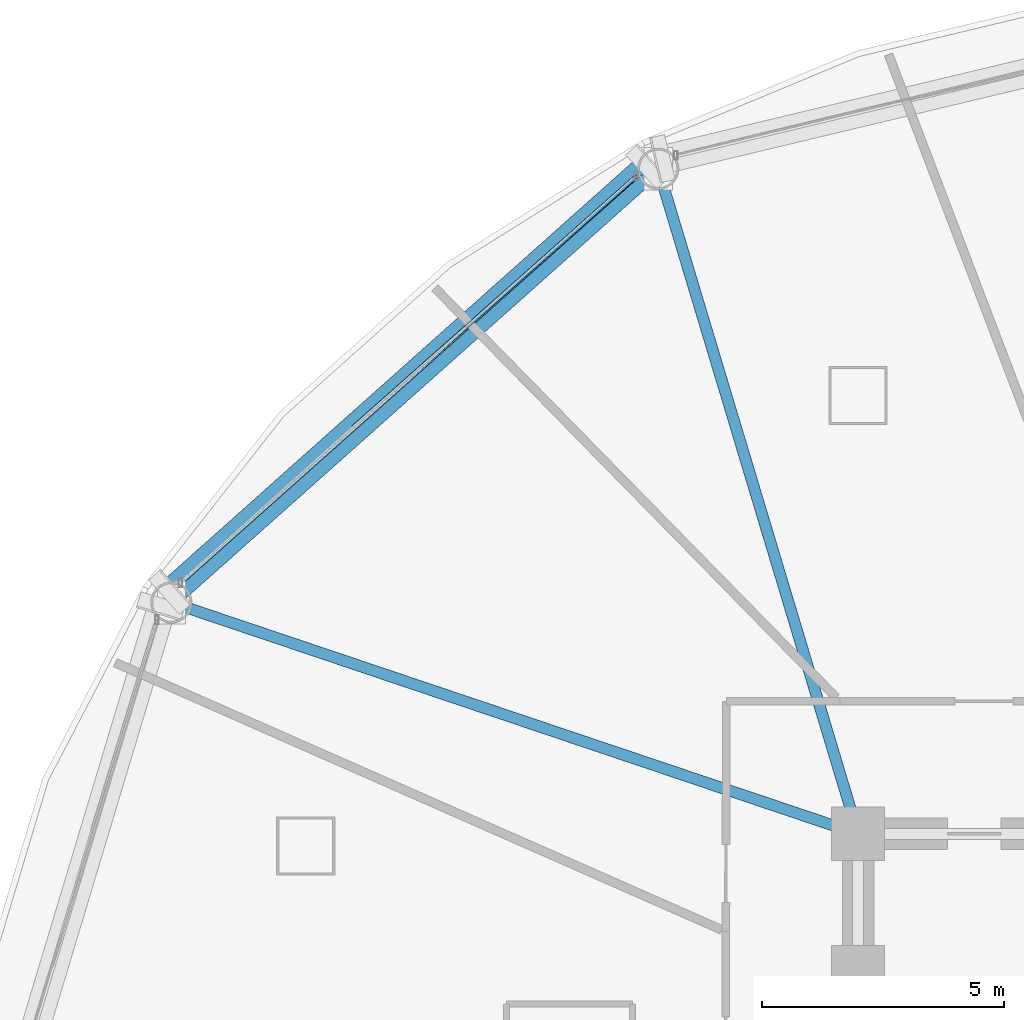
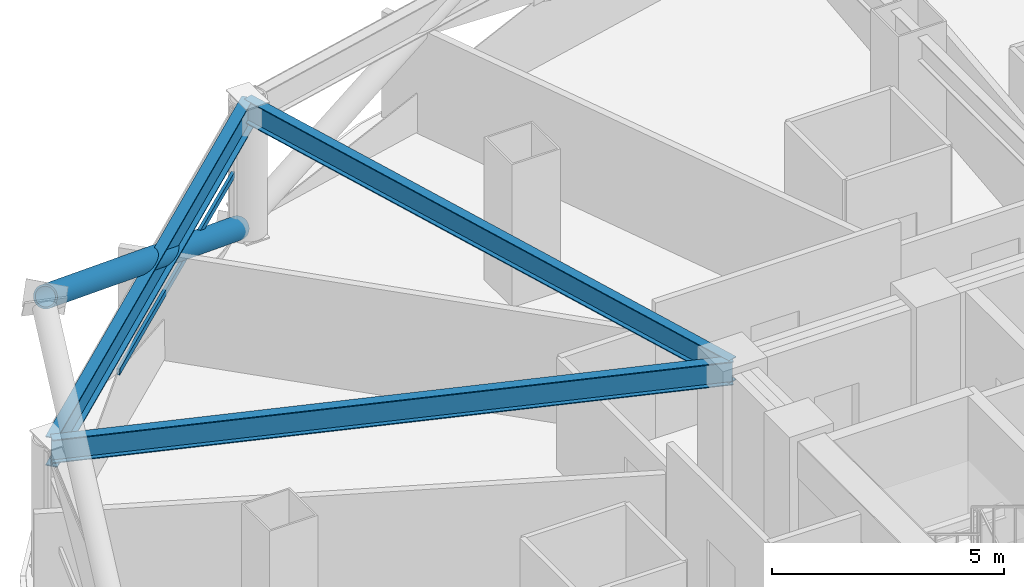
# One storey, part 14 of 30: 3 beams, 2 members, 1 element without a shape of its own.
"""IFC4 building model written with IfcOpenShell, lengths in metres."""

from ifc_helpers import new_model, si_unit, direction, frame, origin, origin_2d, place, context, subcontext, project, spatial, hollow_rectangle, hollow_circle, i_section, extrude, material, layer, layer_set, material_profile, profile_set, type_object, element, aggregate, save


model = new_model("IFC4")

# Units and contexts
model_context = context("Model", 3, precision=1e-05, world=origin(), true_north=direction((0.0, 1.0)))
body_context = subcontext(model_context, "Body", "Model", "MODEL_VIEW")
ifc_project = project(units=[si_unit("LENGTHUNIT", "METRE"), si_unit("AREAUNIT", "SQUARE_METRE"), si_unit("VOLUMEUNIT", "CUBIC_METRE"), si_unit("PLANEANGLEUNIT", "RADIAN"), si_unit("MASSUNIT", "GRAM", prefix="KILO")], contexts=[model_context])

# Site, building, storey
site_placement = place(None, origin())
site = spatial("IfcSite", under=ifc_project, at=site_placement, CompositionType="ELEMENT")
building_placement = place(site_placement, origin())
building = spatial("IfcBuilding", under=site, at=building_placement, Name="Vantalir Tower", CompositionType="ELEMENT")
storey_placement = place(building_placement, frame((0.0, 0.0, 57.0)))
storey = spatial("IfcBuildingStorey", under=building, at=storey_placement, Name="L13", CompositionType="ELEMENT", Elevation=57.0)

# Beams
ifc_material_1 = material(Name="Steel S355", Category="steel")
ifc_material_profile_1 = material_profile(ifc_material_1, i_section(OverallWidth=0.22998046875, OverallDepth=0.616943359375, WebThickness=0.01318359375, FlangeThickness=0.022216796875, at=origin_2d()), Name="Steel S355")
ifc_profile_set_1 = profile_set([ifc_material_profile_1], Name="Steel S355")
beam_type_1 = type_object("IfcBeamType", Name="BM-RB-610x229", PredefinedType="BEAM", material=ifc_profile_set_1)
beam_1_placement = place(storey_placement, frame((17.77490234375, 46.175048828125, 3.261962890625), z_axis=(0.287826084552, -0.957682695391, 0.0), x_axis=(0.957682695391, 0.287826084552, 0.0)))
element("IfcBeam", 1, at=beam_1_placement, inside=storey, type_object=beam_type_1, Name="L13 Radial Floor Beam 05", PredefinedType="BEAM", context=body_context, shape_type="SweptSolid", body=[
    extrude(i_section(OverallWidth=0.22998046875, OverallDepth=0.616943359375, WebThickness=0.01318359375, FlangeThickness=0.022216796875, at=origin_2d()), origin(), (0.0, 0.0, 1.0), 14.33154296875),
])
beam_2_placement = place(storey_placement, frame((7.72705078125, 37.22509765625, 3.261962890625), z_axis=(0.947658091823, -0.319286925825, 0.0), x_axis=(0.319286925825, 0.947658091823, 0.0)))
element("IfcBeam", 2, at=beam_2_placement, inside=storey, type_object=beam_type_1, Name="L13 Radial Floor Beam 06", PredefinedType="BEAM", context=body_context, shape_type="SweptSolid", body=[
    extrude(i_section(OverallWidth=0.22998046875, OverallDepth=0.616943359375, WebThickness=0.01318359375, FlangeThickness=0.022216796875, at=origin_2d()), origin(), (0.0, 0.0, 1.0), 14.95556640625),
])
ifc_material_2 = material(Name="Steel S460", Category="steel")
ifc_material_profile_2 = material_profile(ifc_material_2, i_section(OverallWidth=0.26806640625, OverallDepth=0.77001953125, WebThickness=0.015625, FlangeThickness=0.025390625, at=origin_2d()), Name="Steel S460")
ifc_profile_set_2 = profile_set([ifc_material_profile_2], Name="Steel S460")
beam_type_2 = type_object("IfcBeamType", Name="BM-RG-762x267", PredefinedType="USERDEFINED", material=ifc_profile_set_2)
beam_3_placement = place(storey_placement, frame((17.77490234375, 46.175048828125, 3.18505859375), z_axis=(-0.746725215396, -0.665132657965, 0.0), x_axis=(0.665132657965, -0.746725215396, 0.0)))
element("IfcBeam", 3, at=beam_3_placement, inside=storey, type_object=beam_type_2, Name="L13 Circumferential Ring Girder 05", ObjectType="GIRDER", PredefinedType="USERDEFINED", context=body_context, shape_type="SweptSolid", body=[
    extrude(i_section(OverallWidth=0.26806640625, OverallDepth=0.77001953125, WebThickness=0.015625, FlangeThickness=0.025390625, at=origin_2d()), origin(), (0.0, 0.0, 1.0), 13.455810546875),
])

# Curtain wall, member
ifc_material_3 = material(Name="Champagne-silver PVDF aluminium and double-silver Low-E glass", Category="aluminium")
ifc_layer = layer(ifc_material_3, 0.18994140625)
ifc_layer_set = layer_set([ifc_layer], Name="Champagne-silver PVDF aluminium and double-silver Low-E glass")
curtain_wall_type = type_object("IfcCurtainWallType", Name="CW-DIAMOND-Z1", PredefinedType="USERDEFINED", material=ifc_layer_set)
curtain_wall_placement = place(storey_placement, origin())
curtain_wall = element("IfcCurtainWall", 4, at=curtain_wall_placement, inside=storey, type_object=curtain_wall_type, Name="L13 Quilted Pyramid-Diamond Curtain Wall S05", ObjectType="UNITISED CURTAIN WALL", PredefinedType="USERDEFINED")
ifc_material_4 = material(Name="Champagne-silver PVDF aluminium 6063-T6", Category="aluminium")
ifc_material_profile_3 = material_profile(ifc_material_4, hollow_rectangle(XDim=0.074951171875, YDim=0.159912109375, WallThickness=0.00390625, at=origin_2d()), Name="Champagne-silver PVDF aluminium 6063-T6")
ifc_profile_set_3 = profile_set([ifc_material_profile_3], Name="Champagne-silver PVDF aluminium 6063-T6")
member_type_1 = type_object("IfcMemberType", Name="CWT-160x75", PredefinedType="USERDEFINED", material=ifc_profile_set_3)
member_1_placement = place(storey_placement, frame((17.3291015625, 46.027099609375, 1.784912109375), z_axis=(-0.748497915602, -0.663137142934, 0.0), x_axis=(0.663137142934, -0.748497915602, 0.0)))
member_1 = element("IfcMember", 5, at=member_1_placement, type_object=member_type_1, Name="CW-L13-S05 Pyramid Fold Ridge Transom", ObjectType="TRANSOM", PredefinedType="USERDEFINED", context=body_context, shape_type="SweptSolid", body=[
    extrude(hollow_rectangle(XDim=0.074951171875, YDim=0.159912109375, WallThickness=0.00390625, at=origin_2d()), origin(), (0.0, 0.0, 1.0), 7.8251953125),
])
aggregate(curtain_wall, [member_1])

# Member
ifc_material_profile_4 = material_profile(ifc_material_2, hollow_circle(Radius=0.27001953125, WallThickness=0.044921875, at=origin_2d()), Name="Steel S460")
ifc_profile_set_4 = profile_set([ifc_material_profile_4], Name="Steel S460")
member_type_2 = type_object("IfcMemberType", Name="MEM-DB-540x45", PredefinedType="BRACE", material=ifc_profile_set_4)
member_2_placement = place(storey_placement, frame((17.534912109375, 46.2109375, 0.18310546875), z_axis=(-0.660027428406, -0.588441793021, 0.467011830662), x_axis=(0.66546913516, -0.746425368104, 0.0)))
element("IfcMember", 6, at=member_2_placement, inside=storey, type_object=member_type_2, Name="L13 Perimeter S460 Diagrid Brace R13L", PredefinedType="BRACE", context=body_context, shape_type="SweptSolid", body=[
    extrude(hollow_circle(Radius=0.27001953125, WallThickness=0.044921875, at=origin_2d()), origin(), (0.0, 0.0, 1.0), 14.89013671875),
])

save(model, "model.ifc")
